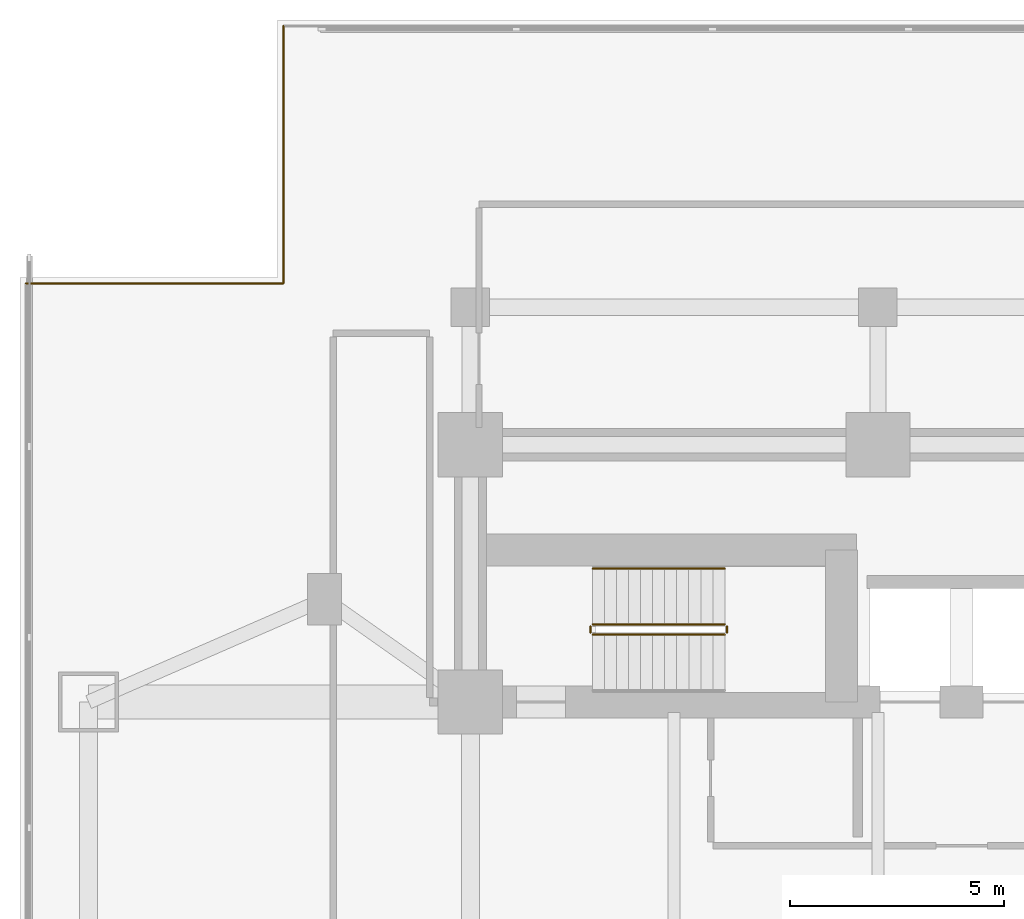
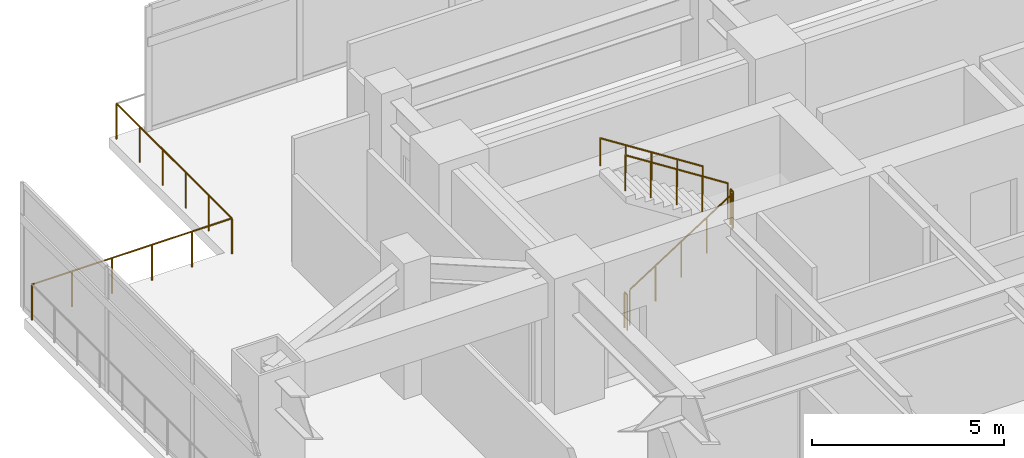
# One storey, part 24 of 30: 7 railings.
"""IFC4 building model written with IfcOpenShell, lengths in metres."""

import ifcopenshell
import ifcopenshell.guid

model = None  # the IFC model being written
_history = None  # IfcOwnerHistory: only IFC2X3 demands one
_inside = {}  # id of a spatial element -> (the spatial element, [elements in it])
_under = {}  # id of a project, library or spatial element -> (it, [spatial elements below it])
_declared = {}  # id of a project -> (the project, [libraries it declares])
_typed = {}  # id of a type object -> (the type object, [elements of that type])
_made_of = {}  # id of a material, layer set ... -> (it, [elements and type objects made of it])


def new_model(schema):
    """Start an empty IFC model of exactly this schema.

    Asked for "IFC4X3", IfcOpenShell would pick the latest addendum, in which some entities
    have other attributes; the version numbers below select the first issue.
    IFC2X3 requires an IfcOwnerHistory on every rooted entity: one is made here for all.
    """
    global model, _history
    if schema == "IFC4X3":
        model = ifcopenshell.file(schema_version=(4, 3, 0, 0))
    else:
        model = ifcopenshell.file(schema=schema)
    _inside.clear()
    _under.clear()
    _declared.clear()
    _typed.clear()
    _made_of.clear()
    _history = None
    if model.schema == "IFC2X3":
        org = make("IfcOrganization", Name="unknown")
        user = make(
            "IfcPersonAndOrganization",
            ThePerson=make("IfcPerson", FamilyName="unknown"),
            TheOrganization=org,
        )
        app = make(
            "IfcApplication",
            ApplicationDeveloper=org,
            Version="unknown",
            ApplicationFullName="unknown",
            ApplicationIdentifier="unknown",
        )
        _history = make(
            "IfcOwnerHistory",
            OwningUser=user,
            OwningApplication=app,
            ChangeAction="ADDED",
            CreationDate=0,
        )
    return model


def make(cls, **values):
    """One entity of the class cls with the attributes given. An attribute that is None is left unset."""
    return model.create_entity(
        cls, **{name: value for name, value in values.items() if value is not None}
    )


def rooted(cls, **values):
    """An entity with a GlobalId (a new one), such as an element, a storey or a relation."""
    return make(cls, GlobalId=ifcopenshell.guid.new(), OwnerHistory=_history, **values)


def si_unit(unit_type, name, prefix=None):
    """IfcSIUnit, for example si_unit("LENGTHUNIT", "METRE", prefix="MILLI")."""
    return make("IfcSIUnit", UnitType=unit_type, Prefix=prefix, Name=name)


def assignment(units):
    """IfcUnitAssignment: the units of a project."""
    return None if units is None else make("IfcUnitAssignment", Units=units)


def point(xyz):
    """IfcCartesianPoint."""
    return None if xyz is None else make("IfcCartesianPoint", Coordinates=xyz)


def direction(xyz):
    """IfcDirection."""
    return None if xyz is None else make("IfcDirection", DirectionRatios=xyz)


def frame(location, z_axis=None, x_axis=None):
    """IfcAxis2Placement3D, a coordinate frame: its origin and axes. An axis left out is left unset."""
    return make(
        "IfcAxis2Placement3D",
        Location=point(location),
        Axis=direction(z_axis),
        RefDirection=direction(x_axis),
    )


def frame_2d(location, x_axis=None):
    """IfcAxis2Placement2D, a coordinate frame in the plane: its origin and x axis."""
    return make(
        "IfcAxis2Placement2D", Location=point(location), RefDirection=direction(x_axis)
    )


def origin():
    """The frame at (0, 0, 0) with its axes left unset."""
    return frame((0.0, 0.0, 0.0))


def origin_2d():
    """The frame at (0, 0) in the plane with its x axis left unset."""
    return frame_2d((0.0, 0.0))


def place(relative_to, where):
    """IfcLocalPlacement: puts the frame where relative to a parent placement (None: the world)."""
    return make(
        "IfcLocalPlacement", PlacementRelTo=relative_to, RelativePlacement=where
    )


def context(
    kind, dimensions, precision=None, world=None, true_north=None, identifier=None
):
    """IfcGeometricRepresentationContext, for example the 3D "Model" context."""
    return make(
        "IfcGeometricRepresentationContext",
        ContextIdentifier=identifier,
        ContextType=kind,
        CoordinateSpaceDimension=dimensions,
        Precision=precision,
        WorldCoordinateSystem=world,
        TrueNorth=true_north,
    )


def subcontext(parent, identifier, kind, view, scale=None):
    """IfcGeometricRepresentationSubContext, for example "Body" below "Model"."""
    return make(
        "IfcGeometricRepresentationSubContext",
        ContextIdentifier=identifier,
        ContextType=kind,
        ParentContext=parent,
        TargetScale=scale,
        TargetView=view,
    )


def project(units=None, contexts=None):
    """IfcProject with its units and contexts."""
    return rooted(
        "IfcProject",
        Name="project",
        RepresentationContexts=contexts,
        UnitsInContext=assignment(units),
    )


def spatial(cls, under=None, at=None, **own):
    """A site, building, storey or space (cls), placed at a placement, below another one or the project."""
    s = rooted(cls, ObjectPlacement=at, **own)
    if under is not None:
        _under.setdefault(under.id(), (under, []))[1].append(s)
    return s


def profile(cls, at=None, kind="AREA", **sizes):
    """A parametric profile (cls). Its sizes go by their IFC names, for example OverallWidth=200.0."""
    return make(cls, ProfileType=kind, Position=at, **sizes)


def circle(**sizes):
    """IfcCircleProfileDef."""
    return profile("IfcCircleProfileDef", **sizes)


def extrude(swept, where, along, depth):
    """IfcExtrudedAreaSolid: the profile swept, set in the frame where, extruded along a direction by depth."""
    return make(
        "IfcExtrudedAreaSolid",
        SweptArea=swept,
        Position=where,
        ExtrudedDirection=direction(along),
        Depth=depth,
    )


def shape(context_of_items, identifier, shape_type, items):
    """IfcShapeRepresentation: the items that make up one representation, for example the "Body"."""
    return make(
        "IfcShapeRepresentation",
        ContextOfItems=context_of_items,
        RepresentationIdentifier=identifier,
        RepresentationType=shape_type,
        Items=items,
    )


def material(Name=None, Category=None):
    """IfcMaterial."""
    return make("IfcMaterial", Name=Name, Category=Category)


def made_of(thing, what):
    """Note that an element or type object is made of a material, layer set ...; save() writes the relation."""
    if what is not None:
        _made_of.setdefault(what.id(), (what, []))[1].append(thing)
    return thing


def type_object(cls, material=None, **own):
    """A type object (cls), such as IfcWallType, which elements share."""
    return made_of(rooted(cls, **own), material)


def element(
    cls,
    number,
    at=None,
    inside=None,
    cuts=None,
    type_object=None,
    material=None,
    context=None,
    identifier="Body",
    shape_type=None,
    held_by="IfcProductDefinitionShape",
    body=None,
    shapes=None,
    **own,
):
    """One element of the class cls, such as IfcWall. Its Tag is "e" and its number.

    at: its placement. inside: the storey or other place that contains it. cuts: it is an
    opening in that element (IfcRelVoidsElement). A single representation is given by context,
    identifier, shape_type and body (its items); several are given by shapes. held_by: the class
    of the entity that holds the representations. save() writes the other relations.
    """
    e = rooted(cls, Tag="e%d" % number, ObjectPlacement=at, **own)
    if body is not None:
        shapes = [shape(context, identifier, shape_type, body)]
    if shapes is not None:
        e.Representation = make(held_by, Representations=shapes)
    if inside is not None:
        _inside.setdefault(inside.id(), (inside, []))[1].append(e)
    if cuts is not None:
        rooted(
            "IfcRelVoidsElement", RelatingBuildingElement=cuts, RelatedOpeningElement=e
        )
    if type_object is not None:
        _typed.setdefault(type_object.id(), (type_object, []))[1].append(e)
    return made_of(e, material)


def aggregate(whole, parts):
    """IfcRelAggregates: a whole, such as a stair, and the parts it consists of."""
    return rooted("IfcRelAggregates", RelatingObject=whole, RelatedObjects=parts)


def save(model, path):
    """Write the relations noted so far, then the file.

    IfcRelAggregates (storeys below a building ...), IfcRelContainedInSpatialStructure (elements
    in a storey), IfcRelDefinesByType, IfcRelAssociatesMaterial and IfcRelDeclares: one each for
    every whole, place, type object, material and project.
    """
    for whole, parts in _under.values():
        aggregate(whole, parts)
    for where, things in _inside.values():
        rooted(
            "IfcRelContainedInSpatialStructure",
            RelatedElements=things,
            RelatingStructure=where,
        )
    for kind, things in _typed.values():
        rooted("IfcRelDefinesByType", RelatedObjects=things, RelatingType=kind)
    for what, things in _made_of.values():
        rooted("IfcRelAssociatesMaterial", RelatedObjects=things, RelatingMaterial=what)
    for by, libraries in _declared.values():
        rooted("IfcRelDeclares", RelatingContext=by, RelatedDefinitions=libraries)
    model.write(path)


model = new_model("IFC4")

# Units and contexts
model_context = context("Model", 3, precision=1e-05, world=origin(), true_north=direction((0.0, 1.0)))
body_context = subcontext(model_context, "Body", "Model", "MODEL_VIEW")
ifc_project = project(units=[si_unit("LENGTHUNIT", "METRE"), si_unit("AREAUNIT", "SQUARE_METRE"), si_unit("VOLUMEUNIT", "CUBIC_METRE"), si_unit("PLANEANGLEUNIT", "RADIAN"), si_unit("MASSUNIT", "GRAM", prefix="KILO")], contexts=[model_context])

# Site, building, storey
site_placement = place(None, origin())
site = spatial("IfcSite", under=ifc_project, at=site_placement, CompositionType="ELEMENT")
building_placement = place(site_placement, origin())
building = spatial("IfcBuilding", under=site, at=building_placement, Name="Mirazonda Arch Towers", CompositionType="ELEMENT")
storey_placement = place(building_placement, frame((0.0, 0.0, 9.5)))
storey = spatial("IfcBuildingStorey", under=building, at=storey_placement, Name="L02", CompositionType="ELEMENT", Elevation=9.5)

# Railings
ifc_material = material(Name="Architectural Brushed Steel S355", Category="steel")
railing_type_1 = type_object("IfcRailingType", Name="GUARD-EXT-1150", PredefinedType="GUARDRAIL", material=ifc_material)
railing_1_placement = place(storey_placement, frame((6.639892578125, 53.360107421875, 0.0)))
element("IfcRailing", 1, at=railing_1_placement, inside=storey, type_object=railing_type_1, Name="L02 L02 West Podium Perimeter Guard 08", PredefinedType="GUARDRAIL", context=body_context, shape_type="SweptSolid", body=[
    extrude(circle(Radius=0.02392578125, at=origin_2d()), frame((0.0, 0.0, 1.1259765625), z_axis=(0.0, -1.0, 0.0), x_axis=(1.0, 0.0, 0.0)), (0.0, 0.0, 1.0), 6.0),
    extrude(circle(Radius=0.02099609375, at=origin_2d()), origin(), (0.0, 0.0, 1.0), 1.101806640625),
    extrude(circle(Radius=0.02099609375, at=origin_2d()), frame((0.0, -1.199951171875, 0.0)), (0.0, 0.0, 1.0), 1.101806640625),
    extrude(circle(Radius=0.02099609375, at=origin_2d()), frame((0.0, -2.39990234375, 0.0)), (0.0, 0.0, 1.0), 1.101806640625),
    extrude(circle(Radius=0.02099609375, at=origin_2d()), frame((0.0, -3.60009765625, 0.0)), (0.0, 0.0, 1.0), 1.101806640625),
    extrude(circle(Radius=0.02099609375, at=origin_2d()), frame((0.0, -4.800048828125, 0.0)), (0.0, 0.0, 1.0), 1.101806640625),
    extrude(circle(Radius=0.02099609375, at=origin_2d()), frame((0.0, -6.0, 0.0)), (0.0, 0.0, 1.0), 1.101806640625),
])
railing_2_placement = place(storey_placement, frame((6.639892578125, 47.360107421875, 0.0)))
element("IfcRailing", 2, at=railing_2_placement, inside=storey, type_object=railing_type_1, Name="L02 L02 West Podium Perimeter Guard 09", PredefinedType="GUARDRAIL", context=body_context, shape_type="SweptSolid", body=[
    extrude(circle(Radius=0.02392578125, at=origin_2d()), frame((0.0, 0.0, 1.1259765625), z_axis=(-1.0, 0.0, 0.0), x_axis=(0.0, -1.0, 0.0)), (0.0, 0.0, 1.0), 6.0),
    extrude(circle(Radius=0.02099609375, at=origin_2d()), origin(), (0.0, 0.0, 1.0), 1.101806640625),
    extrude(circle(Radius=0.02099609375, at=origin_2d()), frame((-1.199951171875, 0.0, 0.0)), (0.0, 0.0, 1.0), 1.101806640625),
    extrude(circle(Radius=0.02099609375, at=origin_2d()), frame((-2.39990234375, 0.0, 0.0)), (0.0, 0.0, 1.0), 1.101806640625),
    extrude(circle(Radius=0.02099609375, at=origin_2d()), frame((-3.60009765625, 0.0, 0.0)), (0.0, 0.0, 1.0), 1.101806640625),
    extrude(circle(Radius=0.02099609375, at=origin_2d()), frame((-4.800048828125, 0.0, 0.0)), (0.0, 0.0, 1.0), 1.101806640625),
    extrude(circle(Radius=0.02099609375, at=origin_2d()), frame((-6.0, 0.0, 0.0)), (0.0, 0.0, 1.0), 1.101806640625),
])
railing_type_2 = type_object("IfcRailingType", Name="GUARD-STAIR-1120", PredefinedType="GUARDRAIL", material=ifc_material)
railing_3_placement = place(storey_placement, frame((13.85009765625, 39.169921875, 0.17919921875)))
element("IfcRailing", 3, at=railing_3_placement, inside=storey, type_object=railing_type_2, Name="L02 ST-T1N stair guard 1", PredefinedType="GUARDRAIL", context=body_context, shape_type="SweptSolid", body=[
    extrude(circle(Radius=0.02392578125, at=origin_2d()), frame((0.0, 0.0, 1.1259765625), z_axis=(0.842319903074, 0.0, 0.538977903893), x_axis=(0.0, 1.0, 0.0)), (0.0, 0.0, 1.0), 3.65625),
    extrude(circle(Radius=0.02099609375, at=origin_2d()), origin(), (0.0, 0.0, 1.0), 1.101806640625),
    extrude(circle(Radius=0.02099609375, at=origin_2d()), frame((0.77001953125, 0.0, 0.49267578125)), (0.0, 0.0, 1.0), 1.101806640625),
    extrude(circle(Radius=0.02099609375, at=origin_2d()), frame((1.5400390625, 0.0, 0.9853515625)), (0.0, 0.0, 1.0), 1.101806640625),
    extrude(circle(Radius=0.02099609375, at=origin_2d()), frame((2.309814453125, 0.0, 1.47802734375)), (0.0, 0.0, 1.0), 1.101806640625),
    extrude(circle(Radius=0.02099609375, at=origin_2d()), frame((3.079833984375, 0.0, 1.970703125)), (0.0, 0.0, 1.0), 1.101806640625),
])
railing_4_placement = place(storey_placement, frame((16.97998046875, 39.219970703125, 2.14990234375)))
element("IfcRailing", 4, at=railing_4_placement, inside=storey, type_object=railing_type_2, Name="L02 ST-T1N stair guard 2", PredefinedType="GUARDRAIL", context=body_context, shape_type="SweptSolid", body=[
    extrude(circle(Radius=0.02392578125, at=origin_2d()), frame((0.0, 0.0, 1.1259765625), z_axis=(0.0, 1.0, 0.0), x_axis=(-1.0, 0.0, 0.0)), (0.0, 0.0, 1.0), 0.14013671875),
    extrude(circle(Radius=0.02099609375, at=origin_2d()), origin(), (0.0, 0.0, 1.0), 1.101806640625),
    extrude(circle(Radius=0.02099609375, at=origin_2d()), frame((0.0, 0.14013671875, 0.0)), (0.0, 0.0, 1.0), 1.101806640625),
])
railing_5_placement = place(storey_placement, frame((16.929931640625, 39.409912109375, 2.3291015625)))
element("IfcRailing", 5, at=railing_5_placement, inside=storey, type_object=railing_type_2, Name="L02 ST-T1N stair guard 3", PredefinedType="GUARDRAIL", context=body_context, shape_type="SweptSolid", body=[
    extrude(circle(Radius=0.02392578125, at=origin_2d()), frame((0.0, 0.0, 1.1259765625), z_axis=(-0.842289589211, 0.0, 0.539025275759), x_axis=(0.0, -1.0, 0.0)), (0.0, 0.0, 1.0), 3.656494140625),
    extrude(circle(Radius=0.02099609375, at=origin_2d()), origin(), (0.0, 0.0, 1.0), 1.101806640625),
    extrude(circle(Radius=0.02099609375, at=origin_2d()), frame((-0.77001953125, 0.0, 0.49267578125)), (0.0, 0.0, 1.0), 1.101806640625),
    extrude(circle(Radius=0.02099609375, at=origin_2d()), frame((-1.5400390625, 0.0, 0.9853515625)), (0.0, 0.0, 1.0), 1.101806640625),
    extrude(circle(Radius=0.02099609375, at=origin_2d()), frame((-2.309814453125, 0.0, 1.478271484375)), (0.0, 0.0, 1.0), 1.101806640625),
    extrude(circle(Radius=0.02099609375, at=origin_2d()), frame((-3.079833984375, 0.0, 1.970947265625)), (0.0, 0.0, 1.0), 1.101806640625),
])
railing_6_placement = place(storey_placement, frame((13.800048828125, 39.219970703125, 0.0)))
element("IfcRailing", 6, at=railing_6_placement, inside=storey, type_object=railing_type_2, Name="L02 ST-T1N stair guard 4", PredefinedType="GUARDRAIL", context=body_context, shape_type="SweptSolid", body=[
    extrude(circle(Radius=0.02392578125, at=origin_2d()), frame((0.0, 0.0, 1.1259765625), z_axis=(0.0, 1.0, 0.0), x_axis=(-1.0, 0.0, 0.0)), (0.0, 0.0, 1.0), 0.14013671875),
    extrude(circle(Radius=0.02099609375, at=origin_2d()), origin(), (0.0, 0.0, 1.0), 1.101806640625),
    extrude(circle(Radius=0.02099609375, at=origin_2d()), frame((0.0, 0.14013671875, 0.0)), (0.0, 0.0, 1.0), 1.101806640625),
])
railing_type_3 = type_object("IfcRailingType", Name="HANDRAIL-915", PredefinedType="HANDRAIL", material=ifc_material)
railing_7_placement = place(storey_placement, frame((16.929931640625, 40.7099609375, 2.3291015625)))
element("IfcRailing", 7, at=railing_7_placement, inside=storey, type_object=railing_type_3, Name="L02 ST-T1N stair handrail 2", PredefinedType="HANDRAIL", context=body_context, shape_type="SweptSolid", body=[
    extrude(circle(Radius=0.02392578125, at=origin_2d()), frame((0.0, 0.0, 0.8759765625), z_axis=(-0.842289589211, 0.0, 0.539025275759), x_axis=(0.0, -1.0, 0.0)), (0.0, 0.0, 1.0), 3.656494140625),
    extrude(circle(Radius=0.02099609375, at=origin_2d()), origin(), (0.0, 0.0, 1.0), 0.851806640625),
    extrude(circle(Radius=0.02099609375, at=origin_2d()), frame((-0.77001953125, 0.0, 0.49267578125)), (0.0, 0.0, 1.0), 0.851806640625),
    extrude(circle(Radius=0.02099609375, at=origin_2d()), frame((-1.5400390625, 0.0, 0.9853515625)), (0.0, 0.0, 1.0), 0.851806640625),
    extrude(circle(Radius=0.02099609375, at=origin_2d()), frame((-2.309814453125, 0.0, 1.478271484375)), (0.0, 0.0, 1.0), 0.851806640625),
    extrude(circle(Radius=0.02099609375, at=origin_2d()), frame((-3.079833984375, 0.0, 1.970947265625)), (0.0, 0.0, 1.0), 0.851806640625),
])

save(model, "model.ifc")
